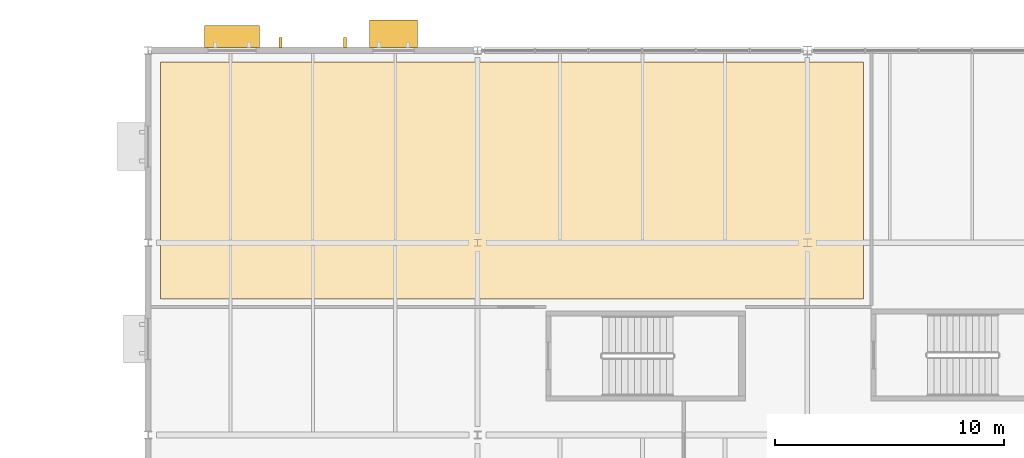
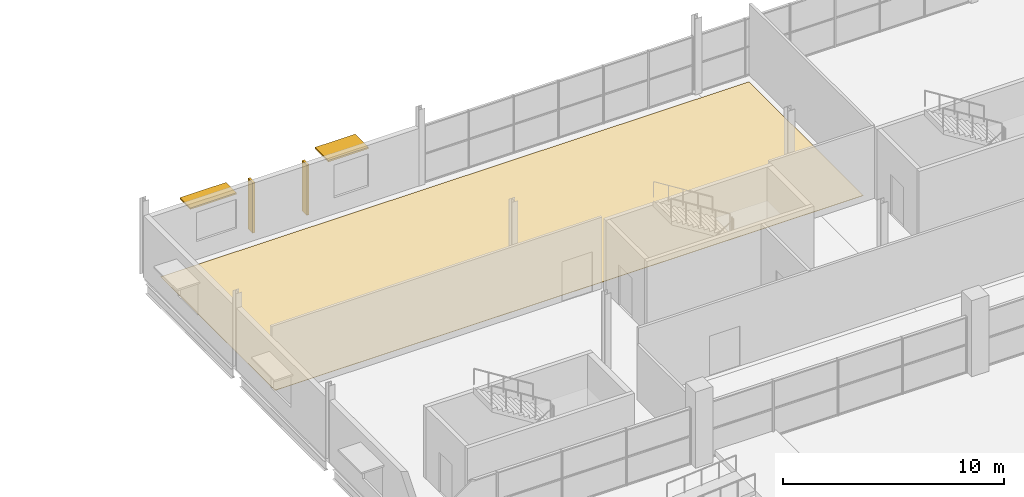
# One storey, part 155 of 161: 4 shading devices, 1 covering.
"""IFC4 building model written with IfcOpenShell, lengths in metres."""

import ifcopenshell
import ifcopenshell.guid

model = None  # the IFC model being written
_history = None  # IfcOwnerHistory: only IFC2X3 demands one
_inside = {}  # id of a spatial element -> (the spatial element, [elements in it])
_under = {}  # id of a project, library or spatial element -> (it, [spatial elements below it])
_declared = {}  # id of a project -> (the project, [libraries it declares])
_typed = {}  # id of a type object -> (the type object, [elements of that type])
_made_of = {}  # id of a material, layer set ... -> (it, [elements and type objects made of it])


def new_model(schema):
    """Start an empty IFC model of exactly this schema.

    Asked for "IFC4X3", IfcOpenShell would pick the latest addendum, in which some entities
    have other attributes; the version numbers below select the first issue.
    IFC2X3 requires an IfcOwnerHistory on every rooted entity: one is made here for all.
    """
    global model, _history
    if schema == "IFC4X3":
        model = ifcopenshell.file(schema_version=(4, 3, 0, 0))
    else:
        model = ifcopenshell.file(schema=schema)
    _inside.clear()
    _under.clear()
    _declared.clear()
    _typed.clear()
    _made_of.clear()
    _history = None
    if model.schema == "IFC2X3":
        org = make("IfcOrganization", Name="unknown")
        user = make(
            "IfcPersonAndOrganization",
            ThePerson=make("IfcPerson", FamilyName="unknown"),
            TheOrganization=org,
        )
        app = make(
            "IfcApplication",
            ApplicationDeveloper=org,
            Version="unknown",
            ApplicationFullName="unknown",
            ApplicationIdentifier="unknown",
        )
        _history = make(
            "IfcOwnerHistory",
            OwningUser=user,
            OwningApplication=app,
            ChangeAction="ADDED",
            CreationDate=0,
        )
    return model


def make(cls, **values):
    """One entity of the class cls with the attributes given. An attribute that is None is left unset."""
    return model.create_entity(
        cls, **{name: value for name, value in values.items() if value is not None}
    )


def rooted(cls, **values):
    """An entity with a GlobalId (a new one), such as an element, a storey or a relation."""
    return make(cls, GlobalId=ifcopenshell.guid.new(), OwnerHistory=_history, **values)


def si_unit(unit_type, name, prefix=None):
    """IfcSIUnit, for example si_unit("LENGTHUNIT", "METRE", prefix="MILLI")."""
    return make("IfcSIUnit", UnitType=unit_type, Prefix=prefix, Name=name)


def assignment(units):
    """IfcUnitAssignment: the units of a project."""
    return None if units is None else make("IfcUnitAssignment", Units=units)


def point(xyz):
    """IfcCartesianPoint."""
    return None if xyz is None else make("IfcCartesianPoint", Coordinates=xyz)


def direction(xyz):
    """IfcDirection."""
    return None if xyz is None else make("IfcDirection", DirectionRatios=xyz)


def frame(location, z_axis=None, x_axis=None):
    """IfcAxis2Placement3D, a coordinate frame: its origin and axes. An axis left out is left unset."""
    return make(
        "IfcAxis2Placement3D",
        Location=point(location),
        Axis=direction(z_axis),
        RefDirection=direction(x_axis),
    )


def frame_2d(location, x_axis=None):
    """IfcAxis2Placement2D, a coordinate frame in the plane: its origin and x axis."""
    return make(
        "IfcAxis2Placement2D", Location=point(location), RefDirection=direction(x_axis)
    )


def origin():
    """The frame at (0, 0, 0) with its axes left unset."""
    return frame((0.0, 0.0, 0.0))


def origin_2d():
    """The frame at (0, 0) in the plane with its x axis left unset."""
    return frame_2d((0.0, 0.0))


def place(relative_to, where):
    """IfcLocalPlacement: puts the frame where relative to a parent placement (None: the world)."""
    return make(
        "IfcLocalPlacement", PlacementRelTo=relative_to, RelativePlacement=where
    )


def context(
    kind, dimensions, precision=None, world=None, true_north=None, identifier=None
):
    """IfcGeometricRepresentationContext, for example the 3D "Model" context."""
    return make(
        "IfcGeometricRepresentationContext",
        ContextIdentifier=identifier,
        ContextType=kind,
        CoordinateSpaceDimension=dimensions,
        Precision=precision,
        WorldCoordinateSystem=world,
        TrueNorth=true_north,
    )


def subcontext(parent, identifier, kind, view, scale=None):
    """IfcGeometricRepresentationSubContext, for example "Body" below "Model"."""
    return make(
        "IfcGeometricRepresentationSubContext",
        ContextIdentifier=identifier,
        ContextType=kind,
        ParentContext=parent,
        TargetScale=scale,
        TargetView=view,
    )


def project(units=None, contexts=None):
    """IfcProject with its units and contexts."""
    return rooted(
        "IfcProject",
        Name="project",
        RepresentationContexts=contexts,
        UnitsInContext=assignment(units),
    )


def spatial(cls, under=None, at=None, **own):
    """A site, building, storey or space (cls), placed at a placement, below another one or the project."""
    s = rooted(cls, ObjectPlacement=at, **own)
    if under is not None:
        _under.setdefault(under.id(), (under, []))[1].append(s)
    return s


def polyline(points):
    """IfcPolyline through the points."""
    return make("IfcPolyline", Points=[point(p) for p in points])


def profile(cls, at=None, kind="AREA", **sizes):
    """A parametric profile (cls). Its sizes go by their IFC names, for example OverallWidth=200.0."""
    return make(cls, ProfileType=kind, Position=at, **sizes)


def rectangle(**sizes):
    """IfcRectangleProfileDef."""
    return profile("IfcRectangleProfileDef", **sizes)


def outline(outer, holes=None, kind="AREA"):
    """IfcArbitraryClosedProfileDef: a profile drawn as a closed curve; with holes, ...WithVoids."""
    if holes is None:
        return make("IfcArbitraryClosedProfileDef", ProfileType=kind, OuterCurve=outer)
    return make(
        "IfcArbitraryProfileDefWithVoids",
        ProfileType=kind,
        OuterCurve=outer,
        InnerCurves=holes,
    )


def extrude(swept, where, along, depth):
    """IfcExtrudedAreaSolid: the profile swept, set in the frame where, extruded along a direction by depth."""
    return make(
        "IfcExtrudedAreaSolid",
        SweptArea=swept,
        Position=where,
        ExtrudedDirection=direction(along),
        Depth=depth,
    )


def shape(context_of_items, identifier, shape_type, items):
    """IfcShapeRepresentation: the items that make up one representation, for example the "Body"."""
    return make(
        "IfcShapeRepresentation",
        ContextOfItems=context_of_items,
        RepresentationIdentifier=identifier,
        RepresentationType=shape_type,
        Items=items,
    )


def material(Name=None, Category=None):
    """IfcMaterial."""
    return make("IfcMaterial", Name=Name, Category=Category)


def layer(
    of_material, thickness, ventilated=None, Name=None, Category=None, Priority=None
):
    """IfcMaterialLayer: one layer of a wall or slab, of a material (None: an air gap)."""
    return make(
        "IfcMaterialLayer",
        Material=of_material,
        LayerThickness=thickness,
        IsVentilated=ventilated,
        Name=Name,
        Category=Category,
        Priority=Priority,
    )


def layer_set(layers, Name=None):
    """IfcMaterialLayerSet."""
    return make("IfcMaterialLayerSet", MaterialLayers=layers, LayerSetName=Name)


def made_of(thing, what):
    """Note that an element or type object is made of a material, layer set ...; save() writes the relation."""
    if what is not None:
        _made_of.setdefault(what.id(), (what, []))[1].append(thing)
    return thing


def type_object(cls, material=None, **own):
    """A type object (cls), such as IfcWallType, which elements share."""
    return made_of(rooted(cls, **own), material)


def element(
    cls,
    number,
    at=None,
    inside=None,
    cuts=None,
    type_object=None,
    material=None,
    context=None,
    identifier="Body",
    shape_type=None,
    held_by="IfcProductDefinitionShape",
    body=None,
    shapes=None,
    **own,
):
    """One element of the class cls, such as IfcWall. Its Tag is "e" and its number.

    at: its placement. inside: the storey or other place that contains it. cuts: it is an
    opening in that element (IfcRelVoidsElement). A single representation is given by context,
    identifier, shape_type and body (its items); several are given by shapes. held_by: the class
    of the entity that holds the representations. save() writes the other relations.
    """
    e = rooted(cls, Tag="e%d" % number, ObjectPlacement=at, **own)
    if body is not None:
        shapes = [shape(context, identifier, shape_type, body)]
    if shapes is not None:
        e.Representation = make(held_by, Representations=shapes)
    if inside is not None:
        _inside.setdefault(inside.id(), (inside, []))[1].append(e)
    if cuts is not None:
        rooted(
            "IfcRelVoidsElement", RelatingBuildingElement=cuts, RelatedOpeningElement=e
        )
    if type_object is not None:
        _typed.setdefault(type_object.id(), (type_object, []))[1].append(e)
    return made_of(e, material)


def aggregate(whole, parts):
    """IfcRelAggregates: a whole, such as a stair, and the parts it consists of."""
    return rooted("IfcRelAggregates", RelatingObject=whole, RelatedObjects=parts)


def save(model, path):
    """Write the relations noted so far, then the file.

    IfcRelAggregates (storeys below a building ...), IfcRelContainedInSpatialStructure (elements
    in a storey), IfcRelDefinesByType, IfcRelAssociatesMaterial and IfcRelDeclares: one each for
    every whole, place, type object, material and project.
    """
    for whole, parts in _under.values():
        aggregate(whole, parts)
    for where, things in _inside.values():
        rooted(
            "IfcRelContainedInSpatialStructure",
            RelatedElements=things,
            RelatingStructure=where,
        )
    for kind, things in _typed.values():
        rooted("IfcRelDefinesByType", RelatedObjects=things, RelatingType=kind)
    for what, things in _made_of.values():
        rooted("IfcRelAssociatesMaterial", RelatedObjects=things, RelatingMaterial=what)
    for by, libraries in _declared.values():
        rooted("IfcRelDeclares", RelatingContext=by, RelatedDefinitions=libraries)
    model.write(path)


model = new_model("IFC4")

# Units and contexts
model_context = context("Model", 3, precision=1e-05, world=origin(), true_north=direction((0.0, 1.0)))
body_context = subcontext(model_context, "Body", "Model", "MODEL_VIEW")
ifc_project = project(units=[si_unit("LENGTHUNIT", "METRE"), si_unit("AREAUNIT", "SQUARE_METRE"), si_unit("VOLUMEUNIT", "CUBIC_METRE"), si_unit("PLANEANGLEUNIT", "RADIAN"), si_unit("MASSUNIT", "GRAM", prefix="KILO"), si_unit("THERMODYNAMICTEMPERATUREUNIT", "KELVIN")], contexts=[model_context])

# Site, building, storey
site_placement = place(None, origin())
site = spatial("IfcSite", under=ifc_project, at=site_placement, CompositionType="ELEMENT")
building_placement = place(site_placement, origin())
building = spatial("IfcBuilding", under=site, at=building_placement, Name="Nduvali Passage Aquatics Centre", CompositionType="ELEMENT")
storey_placement = place(building_placement, frame((0.0, 0.0, 4.800048828125)))
storey = spatial("IfcBuildingStorey", under=building, at=storey_placement, Name="L01", CompositionType="ELEMENT", Elevation=4.800048828125)

# Shading devices
ifc_material_1 = material(Name="Glulam GL28h", Category="wood")
shading_device_type_1 = type_object("IfcShadingDeviceType", Name="ENV-SHD-FIN1", PredefinedType="USERDEFINED", material=ifc_material_1)
for number, where, z_axis, x_axis, name in (
    (1, (48.208984375, 117.955078125, 0.2001953125), (0.0, 0.0, 1.0), (-1.0, 0.0, 0.0), "L01 Vertical Glulam Facade Fin 0097"),
    (2, (45.390869140625, 117.955078125, 0.2001953125), (0.0, 0.0, 1.0), (-1.0, 0.0, 0.0), "L01 Vertical Glulam Facade Fin 0098"),
):
    element("IfcShadingDevice", number, at=place(storey_placement, frame(where, z_axis=z_axis, x_axis=x_axis)), inside=storey, type_object=shading_device_type_1, Name=name, ObjectType="VERTICAL FIN", PredefinedType="USERDEFINED", context=body_context, shape_type="SweptSolid", body=[
        extrude(rectangle(XDim=0.1201171875, YDim=0.43994140625, at=origin_2d()), origin(), (0.0, 0.0, 1.0), 2.773681640625),
    ])
ifc_material_2 = material(Name="Aluminium EN AW-6063 T6", Category="aluminium")
ifc_layer_1 = layer(ifc_material_2, 0.090087890625, Name="Aluminium EN AW-6063 T6")
ifc_layer_set_1 = layer_set([ifc_layer_1], Name="Aluminium EN AW-6063 T6")
shading_device_type_2 = type_object("IfcShadingDeviceType", Name="ENV-SHD-SUN1", PredefinedType="AWNING", material=ifc_layer_set_1)
shading_device_1_placement = place(storey_placement, frame((50.322509765625, 118.330078125, 2.7548828125), z_axis=(0.0, 0.0, 1.0), x_axis=(-1.0, 0.0, 0.0)))
element("IfcShadingDevice", 3, at=shading_device_1_placement, inside=storey, type_object=shading_device_type_2, Name="L01 Horizontal Monsoon Sunshade 0095", PredefinedType="AWNING", context=body_context, shape_type="SweptSolid", body=[
    extrude(rectangle(XDim=2.10009765625, YDim=1.199951171875, at=origin_2d()), origin(), (0.0, 0.0, 1.0), 0.090087890625),
])
ifc_layer_2 = layer(ifc_material_2, 0.080078125, Name="Aluminium EN AW-6063 T6")
ifc_layer_set_2 = layer_set([ifc_layer_2], Name="Aluminium EN AW-6063 T6")
shading_device_type_3 = type_object("IfcShadingDeviceType", Name="ENV-SHD-SUN2", PredefinedType="AWNING", material=ifc_layer_set_2)
shading_device_2_placement = place(storey_placement, frame((43.27734375, 118.205078125, 2.659912109375), z_axis=(0.0, 0.0, 1.0), x_axis=(-1.0, 0.0, 0.0)))
element("IfcShadingDevice", 4, at=shading_device_2_placement, inside=storey, type_object=shading_device_type_3, Name="L01 Horizontal Monsoon Sunshade 0096", PredefinedType="AWNING", context=body_context, shape_type="SweptSolid", body=[
    extrude(rectangle(XDim=2.39990234375, YDim=0.949951171875, at=origin_2d()), origin(), (0.0, 0.0, 1.0), 0.080078125),
])

# Covering
ifc_material_3 = material(Name="Resilient sports rubber flooring")
ifc_layer_3 = layer(ifc_material_3, 0.02001953125, Name="Resilient sports rubber flooring")
ifc_layer_set_3 = layer_set([ifc_layer_3], Name="Resilient sports rubber flooring")
covering_type = type_object("IfcCoveringType", Name="INT-COV-SPORT", PredefinedType="FLOORING", material=ifc_layer_set_3)
covering_placement = place(storey_placement, origin())
element("IfcCovering", 5, at=covering_placement, inside=storey, type_object=covering_type, Name="L01 Avenue Conditioning and Cardio Fitness Gym Floor Finish", PredefinedType="FLOORING", context=body_context, shape_type="SweptSolid", body=[
    extrude(outline(polyline([(40.14990234375, 106.75), (70.85009765625, 106.75), (70.85009765625, 117.090087890625), (40.14990234375, 117.090087890625), (40.14990234375, 106.75)])), origin(), (0.0, 0.0, 1.0), 0.02001953125),
])

save(model, "model.ifc")
